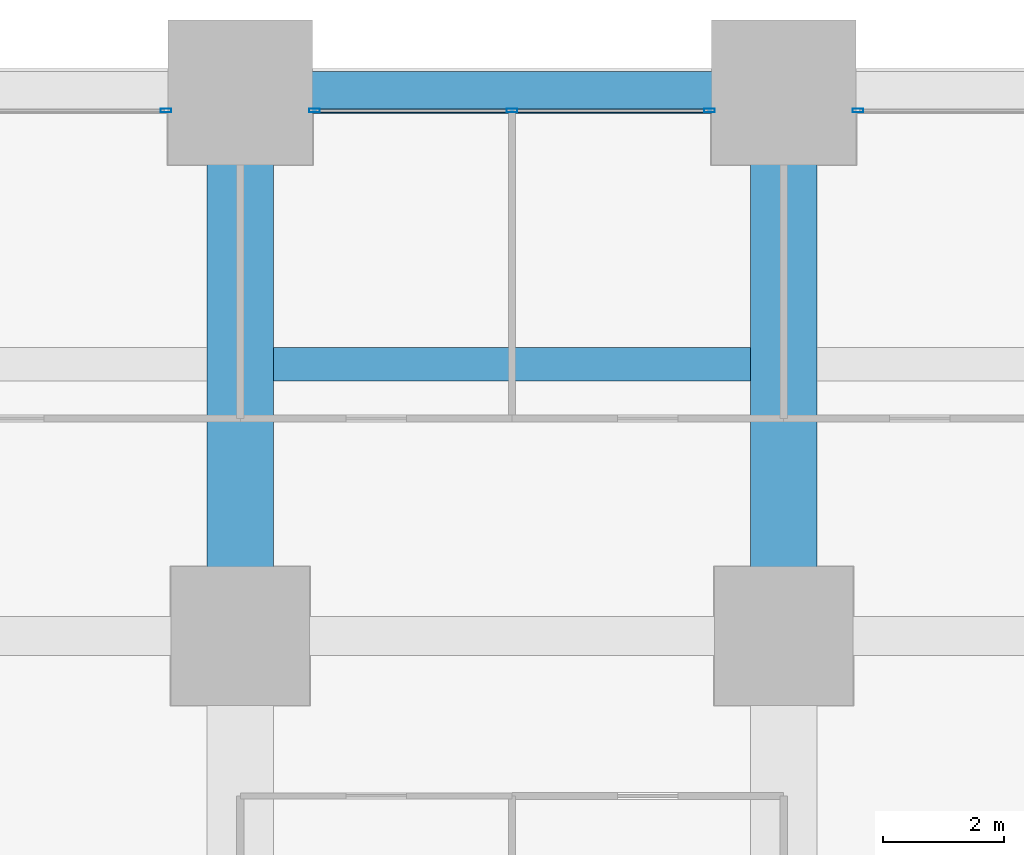
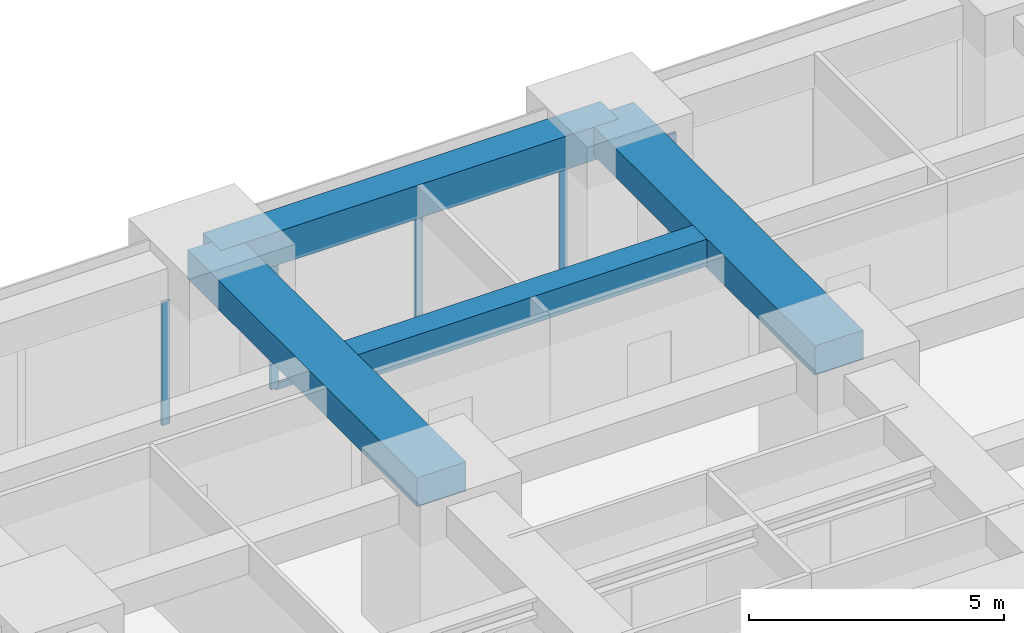
# One storey, part 35 of 45: 6 members, 4 beams, 3 elements without a shape of their own.
"""IFC4 building model written with IfcOpenShell, lengths in metres."""

from ifc_helpers import new_model, si_unit, direction, frame, origin, origin_2d, place, context, subcontext, project, spatial, rectangle, hollow_rectangle, extrude, material, material_profile, profile_set, type_object, element, aggregate, save


model = new_model("IFC4")

# Units and contexts
model_context = context("Model", 3, precision=1e-05, world=origin(), true_north=direction((0.0, 1.0)))
body_context = subcontext(model_context, "Body", "Model", "MODEL_VIEW")
ifc_project = project(units=[si_unit("LENGTHUNIT", "METRE"), si_unit("AREAUNIT", "SQUARE_METRE"), si_unit("VOLUMEUNIT", "CUBIC_METRE"), si_unit("PLANEANGLEUNIT", "RADIAN"), si_unit("MASSUNIT", "GRAM", prefix="KILO")], contexts=[model_context])

# Site, building, storey
site_placement = place(None, origin())
site = spatial("IfcSite", under=ifc_project, at=site_placement, CompositionType="ELEMENT")
building_placement = place(site_placement, origin())
building = spatial("IfcBuilding", under=site, at=building_placement, Name="Zorevar Civic Tower", CompositionType="ELEMENT")
storey_placement = place(building_placement, frame((0.0, 0.0, 47.800048828125)))
storey = spatial("IfcBuildingStorey", under=building, at=storey_placement, Name="L11", CompositionType="ELEMENT", Elevation=47.800048828125)

# Beams
ifc_material_1 = material(Name="Concrete C50/60", Category="concrete")
ifc_material_profile_1 = material_profile(ifc_material_1, rectangle(XDim=1.10009765625, YDim=0.699951171875, at=origin_2d()), Name="RC 1100x700")
ifc_profile_set_1 = profile_set([ifc_material_profile_1], Name="Concrete C50/60")
beam_type_1 = type_object("IfcBeamType", Name="Beam RC 1100x700", PredefinedType="BEAM", material=ifc_profile_set_1)
for number, where, z_axis, x_axis, name in (
    (1, (36.0, 45.0, 3.39990234375), (0.0, 1.0, 0.0), (-1.0, 0.0, 0.0), "Girder L12"),
    (2, (45.0, 45.0, 3.39990234375), (0.0, 1.0, 0.0), (-1.0, 0.0, 0.0), "Girder L12"),
):
    element("IfcBeam", number, at=place(storey_placement, frame(where, z_axis=z_axis, x_axis=x_axis)), inside=storey, type_object=beam_type_1, Name=name, PredefinedType="BEAM", context=body_context, shape_type="SweptSolid", body=[
        extrude(rectangle(XDim=1.10009765625, YDim=0.699951171875, at=origin_2d()), origin(), (0.0, 0.0, 1.0), 9.0),
    ])
ifc_material_2 = material(Name="Concrete C50/60", Category="concrete")
ifc_material_profile_2 = material_profile(ifc_material_2, rectangle(XDim=0.550048828125, YDim=0.64990234375, at=origin_2d()), Name="RC 550x650")
ifc_profile_set_2 = profile_set([ifc_material_profile_2], Name="Concrete C50/60")
beam_type_2 = type_object("IfcBeamType", Name="Beam RC 550x650", PredefinedType="BEAM", material=ifc_profile_set_2)
beam_1_placement = place(storey_placement, frame((36.550048828125, 49.5, 3.425048828125), z_axis=(1.0, 0.0, 0.0), x_axis=(0.0, 1.0, 0.0)))
element("IfcBeam", 3, at=beam_1_placement, inside=storey, type_object=beam_type_2, Name="Secondary beam L12", PredefinedType="BEAM", context=body_context, shape_type="SweptSolid", body=[
    extrude(rectangle(XDim=0.550048828125, YDim=0.64990234375, at=origin_2d()), origin(), (0.0, 0.0, 1.0), 7.89990234375),
])

# Curtain wall, member
ifc_material_3 = material(Name="Dark grey solar-control glass in black aluminium frame", Category="aluminium")
curtain_wall_type = type_object("IfcCurtainWallType", Name="Curtain wall CW2 low zone", PredefinedType="NOTDEFINED", material=ifc_material_3)
curtain_wall_1_placement = place(storey_placement, origin())
curtain_wall_1 = element("IfcCurtainWall", 4, at=curtain_wall_1_placement, inside=storey, type_object=curtain_wall_type, Name="CW2 L11", PredefinedType="NOTDEFINED")
ifc_material_4 = material(Name="Aluminium, black anodised", Category="aluminium")
ifc_material_profile_3 = material_profile(ifc_material_4, hollow_rectangle(XDim=0.06005859375, YDim=0.179931640625, WallThickness=0.00390625, at=origin_2d()), Name="AL 180x60x4")
ifc_profile_set_3 = profile_set([ifc_material_profile_3], Name="Aluminium, black anodised")
member_type_1 = type_object("IfcMemberType", Name="CW2 mullion AL 180x60x4", PredefinedType="MULLION", material=ifc_profile_set_3)
member_1_placement = place(storey_placement, frame((34.77001953125, 53.699951171875, 0.0), z_axis=(0.0, 0.0, 1.0), x_axis=(0.0, 1.0, 0.0)))
member_1 = element("IfcMember", 5, at=member_1_placement, type_object=member_type_1, Name="CW2 mullion 3", PredefinedType="MULLION", context=body_context, shape_type="SweptSolid", body=[
    extrude(hollow_rectangle(XDim=0.06005859375, YDim=0.179931640625, WallThickness=0.00390625, at=origin_2d()), origin(), (0.0, 0.0, 1.0), 2.949951171875),
])
aggregate(curtain_wall_1, [member_1])

# Curtain wall, members
curtain_wall_2_placement = place(storey_placement, origin())
curtain_wall_2 = element("IfcCurtainWall", 6, at=curtain_wall_2_placement, inside=storey, type_object=curtain_wall_type, Name="CW2 L11", PredefinedType="NOTDEFINED")
member_2_placement = place(storey_placement, frame((37.22998046875, 53.699951171875, 0.0), z_axis=(0.0, 0.0, 1.0), x_axis=(0.0, 1.0, 0.0)))
member_2 = element("IfcMember", 7, at=member_2_placement, type_object=member_type_1, Name="CW2 mullion 1", PredefinedType="MULLION", context=body_context, shape_type="SweptSolid", body=[
    extrude(hollow_rectangle(XDim=0.06005859375, YDim=0.179931640625, WallThickness=0.00390625, at=origin_2d()), origin(), (0.0, 0.0, 1.0), 2.949951171875),
])
member_3_placement = place(storey_placement, frame((40.5, 53.699951171875, 0.06005859375), z_axis=(0.0, 0.0, 1.0), x_axis=(0.0, 1.0, 0.0)))
member_3 = element("IfcMember", 8, at=member_3_placement, type_object=member_type_1, Name="CW2 mullion 2", PredefinedType="MULLION", context=body_context, shape_type="SweptSolid", body=[
    extrude(hollow_rectangle(XDim=0.06005859375, YDim=0.179931640625, WallThickness=0.00390625, at=origin_2d()), origin(), (0.0, 0.0, 1.0), 2.889892578125),
])
member_4_placement = place(storey_placement, frame((43.77001953125, 53.699951171875, 0.0), z_axis=(0.0, 0.0, 1.0), x_axis=(0.0, 1.0, 0.0)))
member_4 = element("IfcMember", 9, at=member_4_placement, type_object=member_type_1, Name="CW2 mullion 3", PredefinedType="MULLION", context=body_context, shape_type="SweptSolid", body=[
    extrude(hollow_rectangle(XDim=0.06005859375, YDim=0.179931640625, WallThickness=0.00390625, at=origin_2d()), origin(), (0.0, 0.0, 1.0), 2.949951171875),
])

# Curtain wall, member
curtain_wall_3_placement = place(storey_placement, origin())
curtain_wall_3 = element("IfcCurtainWall", 10, at=curtain_wall_3_placement, inside=storey, type_object=curtain_wall_type, Name="CW2 L11", PredefinedType="NOTDEFINED")
member_5_placement = place(storey_placement, frame((46.22998046875, 53.699951171875, 0.0), z_axis=(0.0, 0.0, 1.0), x_axis=(0.0, 1.0, 0.0)))
member_5 = element("IfcMember", 11, at=member_5_placement, type_object=member_type_1, Name="CW2 mullion 1", PredefinedType="MULLION", context=body_context, shape_type="SweptSolid", body=[
    extrude(hollow_rectangle(XDim=0.06005859375, YDim=0.179931640625, WallThickness=0.00390625, at=origin_2d()), origin(), (0.0, 0.0, 1.0), 2.949951171875),
])
aggregate(curtain_wall_3, [member_5])

# Member
ifc_material_5 = material(Name="Aluminium, black anodised", Category="aluminium")
ifc_material_profile_4 = material_profile(ifc_material_5, hollow_rectangle(XDim=0.06005859375, YDim=0.14990234375, WallThickness=0.00390625, at=origin_2d()), Name="AL 150x60x4")
ifc_profile_set_4 = profile_set([ifc_material_profile_4], Name="Aluminium, black anodised")
member_type_2 = type_object("IfcMemberType", Name="CW2 transom AL 150x60x4", PredefinedType="USERDEFINED", material=ifc_profile_set_4)
member_6_placement = place(storey_placement, frame((37.260009765625, 53.699951171875, 0.030029296875), z_axis=(1.0, 0.0, 0.0), x_axis=(0.0, 1.0, 0.0)))
member_6 = element("IfcMember", 12, at=member_6_placement, type_object=member_type_2, Name="CW2 sill transom", ObjectType="TRANSOM", PredefinedType="USERDEFINED", context=body_context, shape_type="SweptSolid", body=[
    extrude(hollow_rectangle(XDim=0.06005859375, YDim=0.14990234375, WallThickness=0.00390625, at=origin_2d()), origin(), (0.0, 0.0, 1.0), 6.47998046875),
])

aggregate(curtain_wall_2, [member_2, member_3, member_4, member_6])

# Beam
ifc_material_6 = material(Name="Concrete C50/60", Category="concrete")
ifc_material_profile_5 = material_profile(ifc_material_6, rectangle(XDim=0.699951171875, YDim=0.800048828125, at=origin_2d()), Name="RC 700x800")
ifc_profile_set_5 = profile_set([ifc_material_profile_5], Name="Concrete C50/60")
beam_type_3 = type_object("IfcBeamType", Name="Edge beam RC 700x800", PredefinedType="SPANDREL", material=ifc_profile_set_5)
beam_2_placement = place(storey_placement, frame((36.0, 54.0, 3.349853515625), z_axis=(1.0, 0.0, 0.0), x_axis=(0.0, 1.0, 0.0)))
element("IfcBeam", 13, at=beam_2_placement, inside=storey, type_object=beam_type_3, Name="Edge beam L12", PredefinedType="SPANDREL", context=body_context, shape_type="SweptSolid", body=[
    extrude(rectangle(XDim=0.699951171875, YDim=0.800048828125, at=origin_2d()), origin(), (0.0, 0.0, 1.0), 9.0),
])

save(model, "model.ifc")
